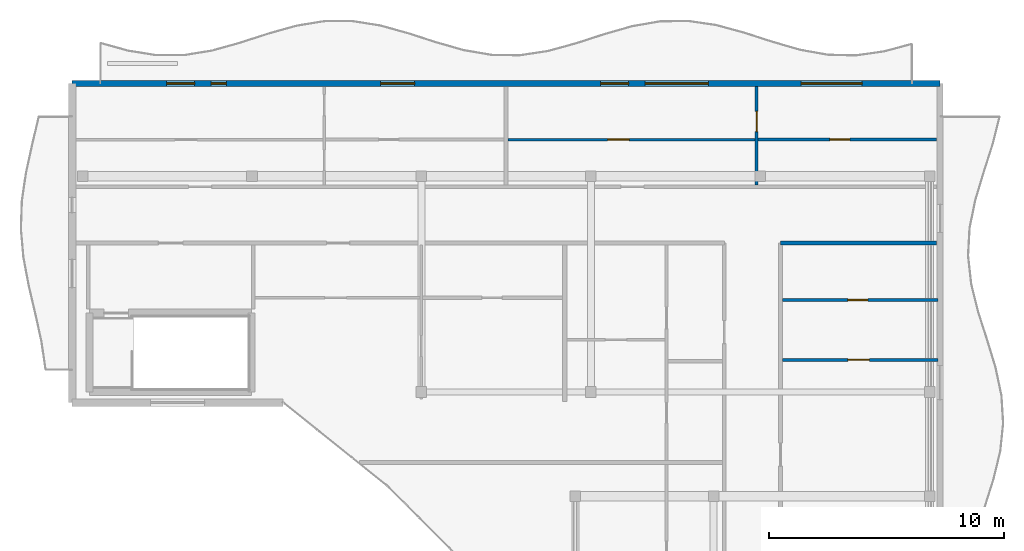
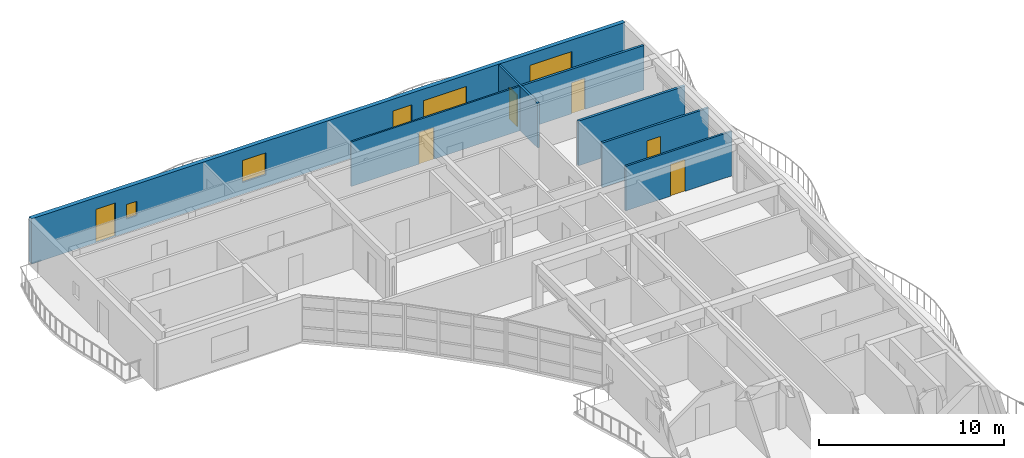
# One storey, part 11 of 14: 7 doors, 7 walls, 4 windows, 11 openings.
"""IFC4 building model written with IfcOpenShell, lengths in metres."""

from ifc_helpers import new_model, si_unit, direction, frame, frame_2d, origin, place, context, subcontext, project, spatial, rectangle, extrude, material, layer, layer_set, type_object, element, fill, save


model = new_model("IFC4")

# Units and contexts
model_context = context("Model", 3, precision=1e-05, world=origin(), true_north=direction((0.0, 1.0)))
body_context = subcontext(model_context, "Body", "Model", "MODEL_VIEW")
ifc_project = project(units=[si_unit("LENGTHUNIT", "METRE"), si_unit("AREAUNIT", "SQUARE_METRE"), si_unit("VOLUMEUNIT", "CUBIC_METRE"), si_unit("PLANEANGLEUNIT", "RADIAN"), si_unit("MASSUNIT", "GRAM", prefix="KILO")], contexts=[model_context])

# Site, building, storey
site_placement = place(None, origin())
site = spatial("IfcSite", under=ifc_project, at=site_placement, CompositionType="ELEMENT")
building_placement = place(site_placement, origin())
building = spatial("IfcBuilding", under=site, at=building_placement, Name="Keldmere Railside Commons", CompositionType="ELEMENT")
storey_placement = place(building_placement, frame((0.0, 0.0, 42.56005859375)))
storey = spatial("IfcBuildingStorey", under=building, at=storey_placement, Name="L13", CompositionType="ELEMENT", Elevation=42.56005859375)

# Wall, opening, door
ifc_material_1 = material(Name="Acoustic Gypsum Board Partition", Category="gypsum")
ifc_layer_1 = layer(ifc_material_1, 0.1201171875, Name="Apartment Interior Partition 120")
ifc_layer_set_1 = layer_set([ifc_layer_1], Name="Acoustic Gypsum Board Partition")
wall_type_1 = type_object("IfcWallType", Name="Apartment Interior Partition 120", PredefinedType="PARTITIONING", material=ifc_layer_set_1)
wall_1_placement = place(storey_placement, frame((176.179931640625, 109.280029296875, 0.0), z_axis=(0.0, 0.0, 1.0), x_axis=(0.0, 1.0, 0.0)))
wall_1 = element("IfcWall", 1, at=wall_1_placement, inside=storey, type_object=wall_type_1, Name="IW-4 IW-L13-1962", PredefinedType="PARTITIONING", context=body_context, shape_type="SweptSolid", body=[
    extrude(rectangle(XDim=4.18994140625, YDim=0.1201171875, at=frame_2d((2.094970703125, 0.0))), origin(), (0.0, 0.0, 1.0), 2.93505859375),
])
opening_1_placement = place(wall_1_placement, frame((2.267578125, 0.0, 0.0)))
opening_1 = element("IfcOpeningElement", 2, at=opening_1_placement, cuts=wall_1, Name="Opening ID-04", PredefinedType="OPENING", context=body_context, shape_type="SweptSolid", body=[
    extrude(rectangle(XDim=0.860107421875, YDim=2.10009765625, at=frame_2d((0.43017578125, 1.050048828125))), frame((0.0, 0.070068359375, 0.0), z_axis=(0.0, -1.0, 0.0), x_axis=(1.0, 0.0, 0.0)), (0.0, 0.0, 1.0), 0.14013671875),
])
ifc_material_2 = material(Name="Engineered Oak Timber", Category="wood")
door_type_1 = type_object("IfcDoorType", Name="Apartment Bathroom Door 860x2100", OperationType="NOTDEFINED", PredefinedType="DOOR", material=ifc_material_2)
door_1_placement = place(opening_1_placement, origin())
door_1 = element("IfcDoor", 3, at=door_1_placement, inside=storey, type_object=door_type_1, Name="ID-04 IDR-L13-1803", OperationType="SINGLE_SWING_LEFT", OverallHeight=2.10009765625, OverallWidth=0.860107421875, PredefinedType="DOOR", context=body_context, shape_type="SweptSolid", body=[
    extrude(rectangle(XDim=0.860107421875, YDim=2.10009765625, at=frame_2d((0.43017578125, 1.050048828125))), frame((0.0, 0.02490234375, 0.0), z_axis=(0.0, -1.0, 0.0), x_axis=(1.0, 0.0, 0.0)), (0.0, 0.0, 1.0), 0.050048828125),
])
fill(opening_1, door_1)

wall_2_placement = place(storey_placement, frame((177.280029296875, 101.820068359375, 0.0), z_axis=(0.0, 0.0, 1.0), x_axis=(1.0, 0.0, 0.0)))
wall_2 = element("IfcWall", 4, at=wall_2_placement, inside=storey, type_object=wall_type_1, Name="IW-4 IW-L13-1971", PredefinedType="PARTITIONING", context=body_context, shape_type="SweptSolid", body=[
    extrude(rectangle(XDim=6.6298828125, YDim=0.1201171875, at=frame_2d((3.31494140625, 0.0))), origin(), (0.0, 0.0, 1.0), 2.93505859375),
])
opening_2_placement = place(wall_2_placement, frame((2.78466796875, 0.0, 0.0)))
opening_2 = element("IfcOpeningElement", 5, at=opening_2_placement, cuts=wall_2, Name="Opening ID-03", PredefinedType="OPENING", context=body_context, shape_type="SweptSolid", body=[
    extrude(rectangle(XDim=0.919921875, YDim=2.10009765625, at=frame_2d((0.4599609375, 1.050048828125))), frame((0.0, 0.070068359375, 0.0), z_axis=(0.0, -1.0, 0.0), x_axis=(1.0, 0.0, 0.0)), (0.0, 0.0, 1.0), 0.14013671875),
])
door_type_2 = type_object("IfcDoorType", Name="Kitchen Pocket-Frame Swing Door 920x2100", OperationType="NOTDEFINED", PredefinedType="DOOR", material=ifc_material_2)
door_2_placement = place(opening_2_placement, origin())
door_2 = element("IfcDoor", 6, at=door_2_placement, inside=storey, type_object=door_type_2, Name="ID-03 IDR-L13-1813", OperationType="SINGLE_SWING_LEFT", OverallHeight=2.10009765625, OverallWidth=0.919921875, PredefinedType="DOOR", context=body_context, shape_type="SweptSolid", body=[
    extrude(rectangle(XDim=0.919921875, YDim=2.10009765625, at=frame_2d((0.4599609375, 1.050048828125))), frame((0.0, 0.02490234375, 0.0), z_axis=(0.0, -1.0, 0.0), x_axis=(1.0, 0.0, 0.0)), (0.0, 0.0, 1.0), 0.050048828125),
])
fill(opening_2, door_2)

ifc_layer_2 = layer(ifc_material_1, 0.10009765625, Name="Closet Light Partition 100")
ifc_layer_set_2 = layer_set([ifc_layer_2], Name="Acoustic Gypsum Board Partition")
wall_type_2 = type_object("IfcWallType", Name="Closet Light Partition 100", PredefinedType="PARTITIONING", material=ifc_layer_set_2)
wall_3_placement = place(storey_placement, frame((165.590087890625, 111.2099609375, 0.0), z_axis=(0.0, 0.0, 1.0), x_axis=(1.0, 0.0, 0.0)))
wall_3 = element("IfcWall", 7, at=wall_3_placement, inside=storey, type_object=wall_type_2, Name="IW-6 IW-L13-1964", PredefinedType="PARTITIONING", context=body_context, shape_type="SweptSolid", body=[
    extrude(rectangle(XDim=10.530029296875, YDim=0.10009765625, at=frame_2d((5.26513671875, 0.0))), origin(), (0.0, 0.0, 1.0), 2.93505859375),
])
opening_3_placement = place(wall_3_placement, frame((4.236083984375, 0.0, 0.0)))
opening_3 = element("IfcOpeningElement", 8, at=opening_3_placement, cuts=wall_3, Name="Opening ID-03", PredefinedType="OPENING", context=body_context, shape_type="SweptSolid", body=[
    extrude(rectangle(XDim=0.919921875, YDim=2.10009765625, at=frame_2d((0.4599609375, 1.050048828125))), frame((0.0, 0.06005859375, 0.0), z_axis=(0.0, -1.0, 0.0), x_axis=(1.0, 0.0, 0.0)), (0.0, 0.0, 1.0), 0.1201171875),
])
door_3_placement = place(opening_3_placement, origin())
door_3 = element("IfcDoor", 9, at=door_3_placement, inside=storey, type_object=door_type_2, Name="ID-03 IDR-L13-1802", OperationType="SINGLE_SWING_RIGHT", OverallHeight=2.10009765625, OverallWidth=0.919921875, PredefinedType="DOOR", context=body_context, shape_type="SweptSolid", body=[
    extrude(rectangle(XDim=0.919921875, YDim=2.10009765625, at=frame_2d((0.4599609375, 1.050048828125))), frame((0.0, 0.02490234375, 0.0), z_axis=(0.0, -1.0, 0.0), x_axis=(1.0, 0.0, 0.0)), (0.0, 0.0, 1.0), 0.050048828125),
])
fill(opening_3, door_3)

# Wall
ifc_layer_3 = layer(ifc_material_1, 0.159912109375, Name="Corridor Fire Partition 160")
ifc_layer_set_3 = layer_set([ifc_layer_3], Name="Acoustic Gypsum Board Partition")
wall_type_3 = type_object("IfcWallType", Name="Corridor Fire Partition 160", PredefinedType="PARTITIONING", material=ifc_layer_set_3)
wall_4_placement = place(storey_placement, frame((177.199951171875, 106.800048828125, 0.0), z_axis=(0.0, 0.0, 1.0), x_axis=(1.0, 0.0, 0.0)))
element("IfcWall", 10, at=wall_4_placement, inside=storey, type_object=wall_type_3, Name="IW-2 IW-L13-1938", PredefinedType="PARTITIONING", context=body_context, shape_type="SweptSolid", body=[
    extrude(rectangle(XDim=6.64013671875, YDim=0.159912109375, at=frame_2d((3.320068359375, 0.0))), origin(), (0.0, 0.0, 1.0), 2.93505859375),
])

# Wall, openings, doors, windows
ifc_material_3 = material(Name="Terracotta Brick Masonry", Category="masonry")
ifc_layer_4 = layer(ifc_material_3, 0.260009765625, Name="Terracotta Cavity Wall 260")
ifc_layer_set_4 = layer_set([ifc_layer_4], Name="Terracotta Brick Masonry")
wall_type_4 = type_object("IfcWallType", Name="Terracotta Cavity Wall 260", PredefinedType="SOLIDWALL", material=ifc_layer_set_4)
wall_5_placement = place(storey_placement, frame((147.0, 113.60009765625, 0.0), z_axis=(0.0, 0.0, 1.0), x_axis=(1.0, 0.0, 0.0)))
wall_5 = element("IfcWall", 11, at=wall_5_placement, inside=storey, type_object=wall_type_4, Name="EW-1 EXTA-L13-0967", PredefinedType="SOLIDWALL", context=body_context, shape_type="SweptSolid", body=[
    extrude(rectangle(XDim=37.0, YDim=0.260009765625, at=frame_2d((18.5, 0.0))), origin(), (0.0, 0.0, 1.0), 2.97998046875),
])
opening_4_placement = place(wall_5_placement, frame((4.02490234375, 0.0, 0.0)))
opening_4 = element("IfcOpeningElement", 12, at=opening_4_placement, cuts=wall_5, Name="Opening BD-01", PredefinedType="OPENING", context=body_context, shape_type="SweptSolid", body=[
    extrude(rectangle(XDim=1.199951171875, YDim=2.199951171875, at=frame_2d((0.60009765625, 1.10009765625))), frame((0.0, 0.139892578125, 0.0), z_axis=(0.0, -1.0, 0.0), x_axis=(1.0, 0.0, 0.0)), (0.0, 0.0, 1.0), 0.280029296875),
])
opening_5_placement = place(wall_5_placement, frame((5.925048828125, 0.0, 0.89990234375)))
opening_5 = element("IfcOpeningElement", 13, at=opening_5_placement, cuts=wall_5, Name="Opening WN-15", PredefinedType="OPENING", context=body_context, shape_type="SweptSolid", body=[
    extrude(rectangle(XDim=0.64990234375, YDim=0.949951171875, at=frame_2d((0.324951171875, 0.47509765625))), frame((0.0, 0.139892578125, 0.0), z_axis=(0.0, -1.0, 0.0), x_axis=(1.0, 0.0, 0.0)), (0.0, 0.0, 1.0), 0.280029296875),
])
opening_6_placement = place(wall_5_placement, frame((13.14990234375, 0.0, 0.77001953125)))
opening_6 = element("IfcOpeningElement", 14, at=opening_6_placement, cuts=wall_5, Name="Opening WN-24", PredefinedType="OPENING", context=body_context, shape_type="SweptSolid", body=[
    extrude(rectangle(XDim=1.449951171875, YDim=1.449951171875, at=frame_2d((0.72509765625, 0.72509765625))), frame((0.0, 0.139892578125, 0.0), z_axis=(0.0, -1.0, 0.0), x_axis=(1.0, 0.0, 0.0)), (0.0, 0.0, 1.0), 0.280029296875),
])
opening_7_placement = place(wall_5_placement, frame((22.52490234375, 0.0, 0.0)))
opening_7 = element("IfcOpeningElement", 15, at=opening_7_placement, cuts=wall_5, Name="Opening BD-01", PredefinedType="OPENING", context=body_context, shape_type="SweptSolid", body=[
    extrude(rectangle(XDim=1.199951171875, YDim=2.199951171875, at=frame_2d((0.60009765625, 1.10009765625))), frame((0.0, 0.139892578125, 0.0), z_axis=(0.0, -1.0, 0.0), x_axis=(1.0, 0.0, 0.0)), (0.0, 0.0, 1.0), 0.280029296875),
])
opening_8_placement = place(wall_5_placement, frame((24.425048828125, 0.0, 0.469970703125)))
opening_8 = element("IfcOpeningElement", 16, at=opening_8_placement, cuts=wall_5, Name="Opening WN-19", PredefinedType="OPENING", context=body_context, shape_type="SweptSolid", body=[
    extrude(rectangle(XDim=2.699951171875, YDim=1.75, at=frame_2d((1.35009765625, 0.875))), frame((0.0, 0.139892578125, 0.0), z_axis=(0.0, -1.0, 0.0), x_axis=(1.0, 0.0, 0.0)), (0.0, 0.0, 1.0), 0.280029296875),
])
opening_9_placement = place(wall_5_placement, frame((31.074951171875, 0.0, 0.669921875)))
opening_9 = element("IfcOpeningElement", 17, at=opening_9_placement, cuts=wall_5, Name="Opening WN-39", PredefinedType="OPENING", context=body_context, shape_type="SweptSolid", body=[
    extrude(rectangle(XDim=2.60009765625, YDim=1.550048828125, at=frame_2d((1.300048828125, 0.77490234375))), frame((0.0, 0.139892578125, 0.0), z_axis=(0.0, -1.0, 0.0), x_axis=(1.0, 0.0, 0.0)), (0.0, 0.0, 1.0), 0.280029296875),
])
ifc_material_4 = material(Name="Thermally Broken Aluminium", Category="aluminium")
door_type_3 = type_object("IfcDoorType", Name="Apartment Living Wave-Balcony Glazed Door 1200x2200", OperationType="NOTDEFINED", PredefinedType="DOOR", material=ifc_material_4)
door_4_placement = place(opening_4_placement, origin())
door_4 = element("IfcDoor", 18, at=door_4_placement, inside=storey, type_object=door_type_3, Name="BD-01 DR-L13-0293", OperationType="SINGLE_SWING_LEFT", OverallHeight=2.199951171875, OverallWidth=1.199951171875, PredefinedType="DOOR", context=body_context, shape_type="SweptSolid", body=[
    extrude(rectangle(XDim=1.199951171875, YDim=2.199951171875, at=frame_2d((0.60009765625, 1.10009765625))), frame((0.0, 0.02490234375, 0.0), z_axis=(0.0, -1.0, 0.0), x_axis=(1.0, 0.0, 0.0)), (0.0, 0.0, 1.0), 0.050048828125),
])
fill(opening_4, door_4)
door_5_placement = place(opening_7_placement, origin())
door_5 = element("IfcDoor", 19, at=door_5_placement, inside=storey, type_object=door_type_3, Name="BD-01 DR-L13-0294", OperationType="SINGLE_SWING_RIGHT", OverallHeight=2.199951171875, OverallWidth=1.199951171875, PredefinedType="DOOR", context=body_context, shape_type="SweptSolid", body=[
    extrude(rectangle(XDim=1.199951171875, YDim=2.199951171875, at=frame_2d((0.60009765625, 1.10009765625))), frame((0.0, 0.02490234375, 0.0), z_axis=(0.0, -1.0, 0.0), x_axis=(1.0, 0.0, 0.0)), (0.0, 0.0, 1.0), 0.050048828125),
])
fill(opening_7, door_5)
ifc_material_5 = material(Name="Low-E Insulated Double Glazing", Category="glass")
window_type_1 = type_object("IfcWindowType", Name="Exterior Bathroom Frosted Window 650x950", PartitioningType="SINGLE_PANEL", PredefinedType="WINDOW", material=ifc_material_5)
window_1_placement = place(opening_5_placement, origin())
window_1 = element("IfcWindow", 20, at=window_1_placement, inside=storey, type_object=window_type_1, Name="WN-15 WIN-L13-0808", OverallHeight=0.949951171875, OverallWidth=0.64990234375, PartitioningType="SINGLE_PANEL", PredefinedType="WINDOW", context=body_context, shape_type="SweptSolid", body=[
    extrude(rectangle(XDim=0.64990234375, YDim=0.949951171875, at=frame_2d((0.324951171875, 0.47509765625))), frame((0.0, 0.030029296875, 0.0), z_axis=(0.0, -1.0, 0.0), x_axis=(1.0, 0.0, 0.0)), (0.0, 0.0, 1.0), 0.06005859375),
])
fill(opening_5, window_1)
window_type_2 = type_object("IfcWindowType", Name="Resident Lounge Panorama Window 2700x1750", PartitioningType="SINGLE_PANEL", PredefinedType="WINDOW", material=ifc_material_5)
window_2_placement = place(opening_8_placement, origin())
window_2 = element("IfcWindow", 21, at=window_2_placement, inside=storey, type_object=window_type_2, Name="WN-19 WIN-L13-0810", OverallHeight=1.75, OverallWidth=2.699951171875, PartitioningType="SINGLE_PANEL", PredefinedType="WINDOW", context=body_context, shape_type="SweptSolid", body=[
    extrude(rectangle(XDim=2.699951171875, YDim=1.75, at=frame_2d((1.35009765625, 0.875))), frame((0.0, 0.030029296875, 0.0), z_axis=(0.0, -1.0, 0.0), x_axis=(1.0, 0.0, 0.0)), (0.0, 0.0, 1.0), 0.06005859375),
])
fill(opening_8, window_2)
window_type_3 = type_object("IfcWindowType", Name="Setback Terrace Bedroom Window 1450x1450", PartitioningType="SINGLE_PANEL", PredefinedType="WINDOW", material=ifc_material_5)
window_3_placement = place(opening_6_placement, origin())
window_3 = element("IfcWindow", 22, at=window_3_placement, inside=storey, type_object=window_type_3, Name="WN-24 WIN-L13-0809", OverallHeight=1.449951171875, OverallWidth=1.449951171875, PartitioningType="SINGLE_PANEL", PredefinedType="WINDOW", context=body_context, shape_type="SweptSolid", body=[
    extrude(rectangle(XDim=1.449951171875, YDim=1.449951171875, at=frame_2d((0.72509765625, 0.72509765625))), frame((0.0, 0.030029296875, 0.0), z_axis=(0.0, -1.0, 0.0), x_axis=(1.0, 0.0, 0.0)), (0.0, 0.0, 1.0), 0.06005859375),
])
fill(opening_6, window_3)
window_type_4 = type_object("IfcWindowType", Name="Three-Bed Corner Living Window 2600x1550", PartitioningType="SINGLE_PANEL", PredefinedType="WINDOW", material=ifc_material_5)
window_4_placement = place(opening_9_placement, origin())
window_4 = element("IfcWindow", 23, at=window_4_placement, inside=storey, type_object=window_type_4, Name="WN-39 WIN-L13-0811", OverallHeight=1.550048828125, OverallWidth=2.60009765625, PartitioningType="SINGLE_PANEL", PredefinedType="WINDOW", context=body_context, shape_type="SweptSolid", body=[
    extrude(rectangle(XDim=2.60009765625, YDim=1.550048828125, at=frame_2d((1.300048828125, 0.77490234375))), frame((0.0, 0.030029296875, 0.0), z_axis=(0.0, -1.0, 0.0), x_axis=(1.0, 0.0, 0.0)), (0.0, 0.0, 1.0), 0.06005859375),
])
fill(opening_9, window_4)

# Wall, opening, door
ifc_layer_5 = layer(ifc_material_1, 0.139892578125, Name="Wet-Room Sanitary Partition 140")
ifc_layer_set_5 = layer_set([ifc_layer_5], Name="Acoustic Gypsum Board Partition")
wall_type_5 = type_object("IfcWallType", Name="Wet-Room Sanitary Partition 140", PredefinedType="PARTITIONING", material=ifc_layer_set_5)
wall_6_placement = place(storey_placement, frame((176.239990234375, 111.2099609375, 0.0), z_axis=(0.0, 0.0, 1.0), x_axis=(1.0, 0.0, 0.0)))
wall_6 = element("IfcWall", 24, at=wall_6_placement, inside=storey, type_object=wall_type_5, Name="IW-5 IW-L13-1963", PredefinedType="PARTITIONING", context=body_context, shape_type="SweptSolid", body=[
    extrude(rectangle(XDim=7.60009765625, YDim=0.139892578125, at=frame_2d((3.800048828125, 0.0))), origin(), (0.0, 0.0, 1.0), 2.93505859375),
])
opening_10_placement = place(wall_6_placement, frame((3.06396484375, 0.0, 0.0)))
opening_10 = element("IfcOpeningElement", 25, at=opening_10_placement, cuts=wall_6, Name="Opening ID-06", PredefinedType="OPENING", context=body_context, shape_type="SweptSolid", body=[
    extrude(rectangle(XDim=0.85009765625, YDim=2.050048828125, at=frame_2d((0.425048828125, 1.02490234375))), frame((0.0, 0.079833984375, 0.0), z_axis=(0.0, -1.0, 0.0), x_axis=(1.0, 0.0, 0.0)), (0.0, 0.0, 1.0), 0.159912109375),
])
door_type_4 = type_object("IfcDoorType", Name="Storage Closet Door 850x2050", OperationType="NOTDEFINED", PredefinedType="DOOR", material=ifc_material_2)
door_6_placement = place(opening_10_placement, origin())
door_6 = element("IfcDoor", 26, at=door_6_placement, inside=storey, type_object=door_type_4, Name="ID-06 IDR-L13-1804", OperationType="SINGLE_SWING_RIGHT", OverallHeight=2.050048828125, OverallWidth=0.85009765625, PredefinedType="DOOR", context=body_context, shape_type="SweptSolid", body=[
    extrude(rectangle(XDim=0.85009765625, YDim=2.050048828125, at=frame_2d((0.425048828125, 1.02490234375))), frame((0.0, 0.02490234375, 0.0), z_axis=(0.0, -1.0, 0.0), x_axis=(1.0, 0.0, 0.0)), (0.0, 0.0, 1.0), 0.050048828125),
])
fill(opening_10, door_6)

wall_7_placement = place(storey_placement, frame((177.280029296875, 104.3701171875, 0.0), z_axis=(0.0, 0.0, 1.0), x_axis=(1.0, 0.0, 0.0)))
wall_7 = element("IfcWall", 27, at=wall_7_placement, inside=storey, type_object=wall_type_5, Name="IW-5 IW-L13-1972", PredefinedType="PARTITIONING", context=body_context, shape_type="SweptSolid", body=[
    extrude(rectangle(XDim=6.6298828125, YDim=0.139892578125, at=frame_2d((3.31494140625, 0.0))), origin(), (0.0, 0.0, 1.0), 2.93505859375),
])
opening_11_placement = place(wall_7_placement, frame((2.78466796875, 0.0, 0.0)))
opening_11 = element("IfcOpeningElement", 28, at=opening_11_placement, cuts=wall_7, Name="Opening ID-04", PredefinedType="OPENING", context=body_context, shape_type="SweptSolid", body=[
    extrude(rectangle(XDim=0.860107421875, YDim=2.10009765625, at=frame_2d((0.43017578125, 1.050048828125))), frame((0.0, 0.079833984375, 0.0), z_axis=(0.0, -1.0, 0.0), x_axis=(1.0, 0.0, 0.0)), (0.0, 0.0, 1.0), 0.159912109375),
])
door_7_placement = place(opening_11_placement, origin())
door_7 = element("IfcDoor", 29, at=door_7_placement, inside=storey, type_object=door_type_1, Name="ID-04 IDR-L13-1812", OperationType="SINGLE_SWING_RIGHT", OverallHeight=2.10009765625, OverallWidth=0.860107421875, PredefinedType="DOOR", context=body_context, shape_type="SweptSolid", body=[
    extrude(rectangle(XDim=0.860107421875, YDim=2.10009765625, at=frame_2d((0.43017578125, 1.050048828125))), frame((0.0, 0.02490234375, 0.0), z_axis=(0.0, -1.0, 0.0), x_axis=(1.0, 0.0, 0.0)), (0.0, 0.0, 1.0), 0.050048828125),
])
fill(opening_11, door_7)

save(model, "model.ifc")
